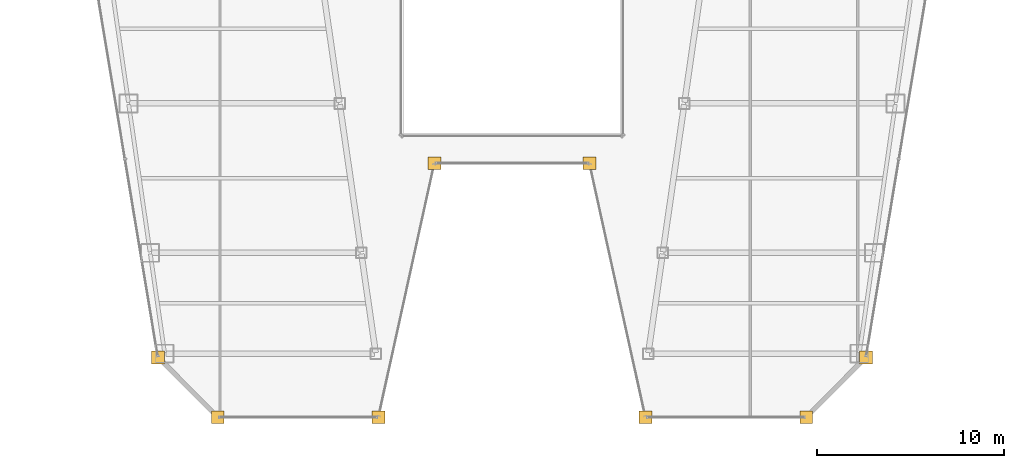
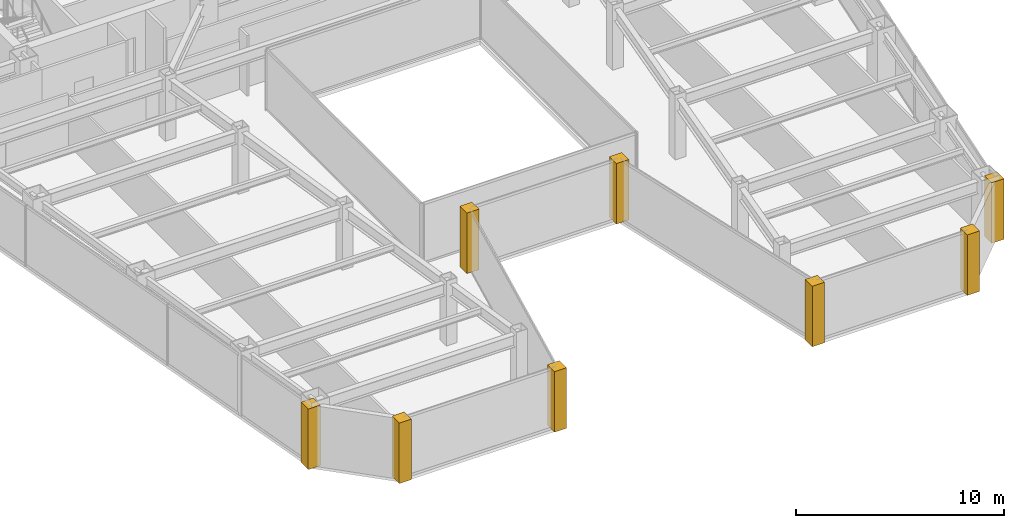
# One storey, part 34 of 36: 8 coverings.
"""IFC4 building model written with IfcOpenShell, lengths in metres."""

from ifc_helpers import new_model, si_unit, direction, frame, origin, place, context, subcontext, project, spatial, polyline, outline, extrude, material, layer, layer_set, type_object, element, save


model = new_model("IFC4")

# Units and contexts
model_context = context("Model", 3, precision=1e-05, world=origin(), true_north=direction((0.0, 1.0)))
body_context = subcontext(model_context, "Body", "Model", "MODEL_VIEW")
ifc_project = project(units=[si_unit("LENGTHUNIT", "METRE"), si_unit("AREAUNIT", "SQUARE_METRE"), si_unit("VOLUMEUNIT", "CUBIC_METRE"), si_unit("PLANEANGLEUNIT", "RADIAN"), si_unit("MASSUNIT", "GRAM", prefix="KILO")], contexts=[model_context])

# Site, building, storey
site_placement = place(None, origin())
site = spatial("IfcSite", under=ifc_project, at=site_placement, CompositionType="ELEMENT")
building_placement = place(site_placement, origin())
building = spatial("IfcBuilding", under=site, at=building_placement, Name="Saevonmaru Cultural Tower", CompositionType="ELEMENT")
storey_placement = place(building_placement, frame((0.0, 0.0, 156.199951171875)))
storey = spatial("IfcBuildingStorey", under=building, at=storey_placement, Name="L34", CompositionType="ELEMENT", Elevation=156.199951171875)

# Coverings
ifc_material = material(Name="Satin Bronze Anodised Aluminium", Category="aluminium")
ifc_layer = layer(ifc_material, 0.679931640625, Name="Satin Bronze Anodised Aluminium")
ifc_layer_set = layer_set([ifc_layer], Name="Satin Bronze Anodised Aluminium")
covering_type = type_object("IfcCoveringType", Name="CV-CORNER-CLAD", PredefinedType="CLADDING", material=ifc_layer_set)
covering_1_placement = place(storey_placement, origin())
element("IfcCovering", 1, at=covering_1_placement, inside=storey, type_object=covering_type, Name="L34 Tower Bronze Corner Cladding Pier 1", PredefinedType="CLADDING", context=body_context, shape_type="SweptSolid", body=[
    extrude(outline(polyline([(10.708984375, 10.06005859375), (11.388916015625, 10.06005859375), (11.388916015625, 10.739990234375), (10.708984375, 10.739990234375), (10.708984375, 10.06005859375)])), origin(), (0.0, 0.0, 1.0), 3.550048828125),
])
covering_2_placement = place(storey_placement, origin())
element("IfcCovering", 2, at=covering_2_placement, inside=storey, type_object=covering_type, Name="L34 Tower Bronze Corner Cladding Pier 2", PredefinedType="CLADDING", context=body_context, shape_type="SweptSolid", body=[
    extrude(outline(polyline([(13.908935546875, 6.860107421875), (14.589111328125, 6.860107421875), (14.589111328125, 7.5400390625), (13.908935546875, 7.5400390625), (13.908935546875, 6.860107421875)])), origin(), (0.0, 0.0, 1.0), 3.550048828125),
])
covering_3_placement = place(storey_placement, origin())
element("IfcCovering", 3, at=covering_3_placement, inside=storey, type_object=covering_type, Name="L34 Tower Bronze Corner Cladding Pier 3", PredefinedType="CLADDING", context=body_context, shape_type="SweptSolid", body=[
    extrude(outline(polyline([(22.509033203125, 6.860107421875), (23.18896484375, 6.860107421875), (23.18896484375, 7.5400390625), (22.509033203125, 7.5400390625), (22.509033203125, 6.860107421875)])), origin(), (0.0, 0.0, 1.0), 3.550048828125),
])
covering_4_placement = place(storey_placement, origin())
element("IfcCovering", 4, at=covering_4_placement, inside=storey, type_object=covering_type, Name="L34 Tower Bronze Corner Cladding Pier 4", PredefinedType="CLADDING", context=body_context, shape_type="SweptSolid", body=[
    extrude(outline(polyline([(25.509033203125, 20.4599609375), (26.18896484375, 20.4599609375), (26.18896484375, 21.139892578125), (25.509033203125, 21.139892578125), (25.509033203125, 20.4599609375)])), origin(), (0.0, 0.0, 1.0), 3.550048828125),
])
covering_5_placement = place(storey_placement, origin())
element("IfcCovering", 5, at=covering_5_placement, inside=storey, type_object=covering_type, Name="L34 Tower Bronze Corner Cladding Pier 5", PredefinedType="CLADDING", context=body_context, shape_type="SweptSolid", body=[
    extrude(outline(polyline([(33.81103515625, 20.4599609375), (34.490966796875, 20.4599609375), (34.490966796875, 21.139892578125), (33.81103515625, 21.139892578125), (33.81103515625, 20.4599609375)])), origin(), (0.0, 0.0, 1.0), 3.550048828125),
])
covering_6_placement = place(storey_placement, origin())
element("IfcCovering", 6, at=covering_6_placement, inside=storey, type_object=covering_type, Name="L34 Tower Bronze Corner Cladding Pier 6", PredefinedType="CLADDING", context=body_context, shape_type="SweptSolid", body=[
    extrude(outline(polyline([(36.81103515625, 6.860107421875), (37.490966796875, 6.860107421875), (37.490966796875, 7.5400390625), (36.81103515625, 7.5400390625), (36.81103515625, 6.860107421875)])), origin(), (0.0, 0.0, 1.0), 3.550048828125),
])
covering_7_placement = place(storey_placement, origin())
element("IfcCovering", 7, at=covering_7_placement, inside=storey, type_object=covering_type, Name="L34 Tower Bronze Corner Cladding Pier 7", PredefinedType="CLADDING", context=body_context, shape_type="SweptSolid", body=[
    extrude(outline(polyline([(45.410888671875, 6.860107421875), (46.091064453125, 6.860107421875), (46.091064453125, 7.5400390625), (45.410888671875, 7.5400390625), (45.410888671875, 6.860107421875)])), origin(), (0.0, 0.0, 1.0), 3.550048828125),
])
covering_8_placement = place(storey_placement, origin())
element("IfcCovering", 8, at=covering_8_placement, inside=storey, type_object=covering_type, Name="L34 Tower Bronze Corner Cladding Pier 8", PredefinedType="CLADDING", context=body_context, shape_type="SweptSolid", body=[
    extrude(outline(polyline([(48.611083984375, 10.06005859375), (49.291015625, 10.06005859375), (49.291015625, 10.739990234375), (48.611083984375, 10.739990234375), (48.611083984375, 10.06005859375)])), origin(), (0.0, 0.0, 1.0), 3.550048828125),
])

save(model, "model.ifc")
